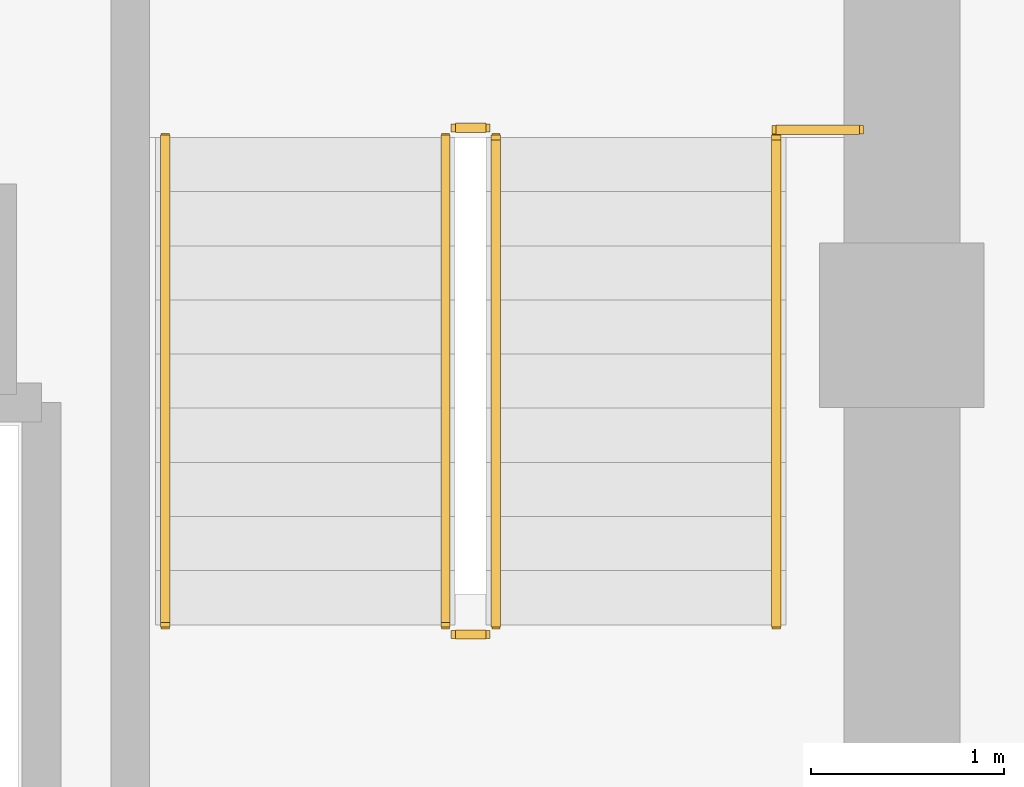
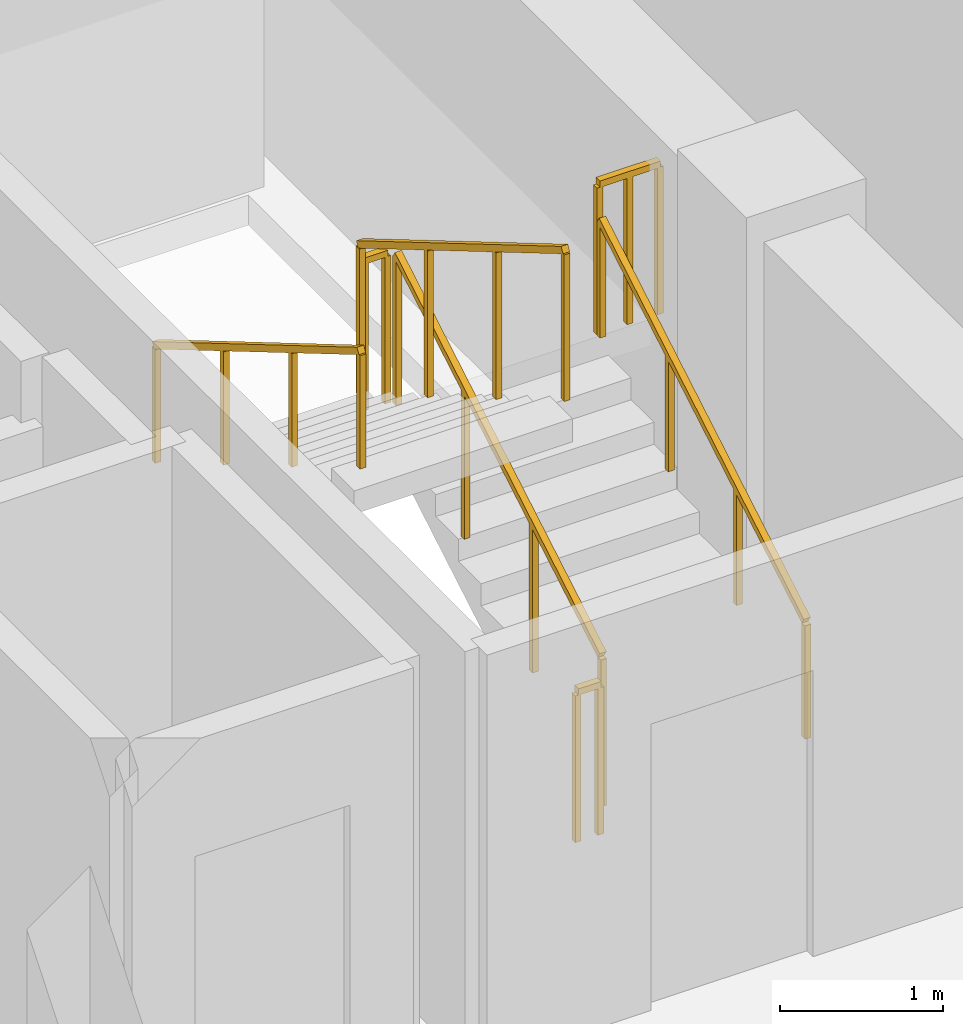
# One storey, part 28 of 29: 7 railings.
"""IFC4 building model written with IfcOpenShell, lengths in metres."""

from ifc_helpers import new_model, si_unit, direction, frame, origin, origin_2d, place, context, subcontext, project, spatial, rectangle, extrude, material, type_object, element, save


model = new_model("IFC4")

# Units and contexts
model_context = context("Model", 3, precision=1e-05, world=origin(), true_north=direction((0.0, 1.0)))
body_context = subcontext(model_context, "Body", "Model", "MODEL_VIEW")
ifc_project = project(units=[si_unit("LENGTHUNIT", "METRE"), si_unit("AREAUNIT", "SQUARE_METRE"), si_unit("VOLUMEUNIT", "CUBIC_METRE"), si_unit("PLANEANGLEUNIT", "RADIAN"), si_unit("MASSUNIT", "GRAM", prefix="KILO")], contexts=[model_context])

# Site, building, storey
site_placement = place(None, origin())
site = spatial("IfcSite", under=ifc_project, at=site_placement, CompositionType="ELEMENT")
building_placement = place(site_placement, origin())
building = spatial("IfcBuilding", under=site, at=building_placement, Name="Zarnakvel Exchange Tower", CompositionType="ELEMENT")
storey_placement = place(building_placement, frame((0.0, 0.0, 265.0)))
storey = spatial("IfcBuildingStorey", under=building, at=storey_placement, Name="L75", CompositionType="ELEMENT", Elevation=265.0)

# Railings
ifc_material_1 = material(Name="Brushed Stainless Steel", Category="steel")
railing_type_1 = type_object("IfcRailingType", Name="HR-01", PredefinedType="HANDRAIL", material=ifc_material_1)
railing_1_placement = place(storey_placement, frame((13.75, 5.050048828125, 0.1650390625)))
element("IfcRailing", 1, at=railing_1_placement, inside=storey, type_object=railing_type_1, Name="L75 ST-02 stair handrail 1", PredefinedType="HANDRAIL", context=body_context, shape_type="SweptSolid", body=[
    extrude(rectangle(XDim=0.048095703125, YDim=0.048095703125, at=origin_2d()), frame((0.0, 0.0, 0.8759765625), z_axis=(0.0, 0.861560626758, 0.507654692109), x_axis=(-1.0, 0.0, 0.0)), (0.0, 0.0, 1.0), 2.925048828125),
    extrude(rectangle(XDim=0.0419921875, YDim=0.0419921875, at=origin_2d()), origin(), (0.0, 0.0, 1.0), 0.851806640625),
    extrude(rectangle(XDim=0.0419921875, YDim=0.0419921875, at=origin_2d()), frame((0.0, 0.840087890625, 0.494873046875)), (0.0, 0.0, 1.0), 0.851806640625),
    extrude(rectangle(XDim=0.0419921875, YDim=0.0419921875, at=origin_2d()), frame((0.0, 1.679931640625, 0.989990234375)), (0.0, 0.0, 1.0), 0.851806640625),
    extrude(rectangle(XDim=0.0419921875, YDim=0.0419921875, at=origin_2d()), frame((0.0, 2.52001953125, 1.48486328125)), (0.0, 0.0, 1.0), 0.851806640625),
])
railing_2_placement = place(storey_placement, frame((10.590087890625, 7.570068359375, 1.81494140625)))
element("IfcRailing", 2, at=railing_2_placement, inside=storey, type_object=railing_type_1, Name="L75 ST-02 stair handrail 2", PredefinedType="HANDRAIL", context=body_context, shape_type="SweptSolid", body=[
    extrude(rectangle(XDim=0.048095703125, YDim=0.048095703125, at=origin_2d()), frame((0.0, 0.0, 0.8759765625), z_axis=(0.0, -0.86152411907, 0.507716645641), x_axis=(1.0, 0.0, 0.0)), (0.0, 0.0, 1.0), 2.925048828125),
    extrude(rectangle(XDim=0.0419921875, YDim=0.0419921875, at=origin_2d()), origin(), (0.0, 0.0, 1.0), 0.851806640625),
    extrude(rectangle(XDim=0.0419921875, YDim=0.0419921875, at=origin_2d()), frame((0.0, -0.840087890625, 0.4951171875)), (0.0, 0.0, 1.0), 0.851806640625),
    extrude(rectangle(XDim=0.0419921875, YDim=0.0419921875, at=origin_2d()), frame((0.0, -1.679931640625, 0.989990234375)), (0.0, 0.0, 1.0), 0.851806640625),
    extrude(rectangle(XDim=0.0419921875, YDim=0.0419921875, at=origin_2d()), frame((0.0, -2.52001953125, 1.485107421875)), (0.0, 0.0, 1.0), 0.851806640625),
])
ifc_material_2 = material(Name="Architectural Bronze Anodised Aluminium", Category="aluminium")
railing_type_2 = type_object("IfcRailingType", Name="SG-01", PredefinedType="GUARDRAIL", material=ifc_material_2)
railing_3_placement = place(storey_placement, frame((12.300048828125, 5.050048828125, 0.1650390625)))
element("IfcRailing", 3, at=railing_3_placement, inside=storey, type_object=railing_type_2, Name="L75 ST-02 stair guard 1", PredefinedType="GUARDRAIL", context=body_context, shape_type="SweptSolid", body=[
    extrude(rectangle(XDim=0.048095703125, YDim=0.048095703125, at=origin_2d()), frame((0.0, 0.0, 1.1259765625), z_axis=(0.0, 0.861560626758, 0.507654692109), x_axis=(-1.0, 0.0, 0.0)), (0.0, 0.0, 1.0), 2.925048828125),
    extrude(rectangle(XDim=0.0419921875, YDim=0.0419921875, at=origin_2d()), origin(), (0.0, 0.0, 1.0), 1.101806640625),
    extrude(rectangle(XDim=0.0419921875, YDim=0.0419921875, at=origin_2d()), frame((0.0, 0.840087890625, 0.494873046875)), (0.0, 0.0, 1.0), 1.101806640625),
    extrude(rectangle(XDim=0.0419921875, YDim=0.0419921875, at=origin_2d()), frame((0.0, 1.679931640625, 0.989990234375)), (0.0, 0.0, 1.0), 1.101806640625),
    extrude(rectangle(XDim=0.0419921875, YDim=0.0419921875, at=origin_2d()), frame((0.0, 2.52001953125, 1.48486328125)), (0.0, 0.0, 1.0), 1.101806640625),
])
railing_4_placement = place(storey_placement, frame((12.25, 7.6201171875, 1.64990234375)))
element("IfcRailing", 4, at=railing_4_placement, inside=storey, type_object=railing_type_2, Name="L75 ST-02 stair guard 2", PredefinedType="GUARDRAIL", context=body_context, shape_type="SweptSolid", body=[
    extrude(rectangle(XDim=0.048095703125, YDim=0.048095703125, at=origin_2d()), frame((0.0, 0.0, 1.1259765625), z_axis=(-1.0, 0.0, 0.0), x_axis=(0.0, -1.0, 0.0)), (0.0, 0.0, 1.0), 0.159912109375),
    extrude(rectangle(XDim=0.0419921875, YDim=0.0419921875, at=origin_2d()), origin(), (0.0, 0.0, 1.0), 1.101806640625),
    extrude(rectangle(XDim=0.0419921875, YDim=0.0419921875, at=origin_2d()), frame((-0.159912109375, 0.0, 0.0)), (0.0, 0.0, 1.0), 1.101806640625),
])
railing_5_placement = place(storey_placement, frame((12.0400390625, 7.570068359375, 1.81494140625)))
element("IfcRailing", 5, at=railing_5_placement, inside=storey, type_object=railing_type_2, Name="L75 ST-02 stair guard 3", PredefinedType="GUARDRAIL", context=body_context, shape_type="SweptSolid", body=[
    extrude(rectangle(XDim=0.048095703125, YDim=0.048095703125, at=origin_2d()), frame((0.0, 0.0, 1.1259765625), z_axis=(0.0, -0.86152411907, 0.507716645641), x_axis=(1.0, 0.0, 0.0)), (0.0, 0.0, 1.0), 2.925048828125),
    extrude(rectangle(XDim=0.0419921875, YDim=0.0419921875, at=origin_2d()), origin(), (0.0, 0.0, 1.0), 1.101806640625),
    extrude(rectangle(XDim=0.0419921875, YDim=0.0419921875, at=origin_2d()), frame((0.0, -0.840087890625, 0.4951171875)), (0.0, 0.0, 1.0), 1.101806640625),
    extrude(rectangle(XDim=0.0419921875, YDim=0.0419921875, at=origin_2d()), frame((0.0, -1.679931640625, 0.989990234375)), (0.0, 0.0, 1.0), 1.101806640625),
    extrude(rectangle(XDim=0.0419921875, YDim=0.0419921875, at=origin_2d()), frame((0.0, -2.52001953125, 1.485107421875)), (0.0, 0.0, 1.0), 1.101806640625),
])
railing_6_placement = place(storey_placement, frame((12.25, 5.0, 0.0)))
element("IfcRailing", 6, at=railing_6_placement, inside=storey, type_object=railing_type_2, Name="L75 ST-02 stair guard 4", PredefinedType="GUARDRAIL", context=body_context, shape_type="SweptSolid", body=[
    extrude(rectangle(XDim=0.048095703125, YDim=0.048095703125, at=origin_2d()), frame((0.0, 0.0, 1.1259765625), z_axis=(-1.0, 0.0, 0.0), x_axis=(0.0, -1.0, 0.0)), (0.0, 0.0, 1.0), 0.159912109375),
    extrude(rectangle(XDim=0.0419921875, YDim=0.0419921875, at=origin_2d()), origin(), (0.0, 0.0, 1.0), 1.101806640625),
    extrude(rectangle(XDim=0.0419921875, YDim=0.0419921875, at=origin_2d()), frame((-0.159912109375, 0.0, 0.0)), (0.0, 0.0, 1.0), 1.101806640625),
])
railing_7_placement = place(storey_placement, frame((13.75, 7.610107421875, 1.64990234375)))
element("IfcRailing", 7, at=railing_7_placement, inside=storey, type_object=railing_type_2, Name="L75 ST-02 Landing Slot Guardrail", PredefinedType="GUARDRAIL", context=body_context, shape_type="SweptSolid", body=[
    extrude(rectangle(XDim=0.048095703125, YDim=0.048095703125, at=origin_2d()), frame((0.0, 0.0, 1.1259765625), z_axis=(1.0, 0.0, 0.0), x_axis=(0.0, 1.0, 0.0)), (0.0, 0.0, 1.0), 0.429931640625),
    extrude(rectangle(XDim=0.0419921875, YDim=0.0419921875, at=origin_2d()), origin(), (0.0, 0.0, 1.0), 1.101806640625),
    extrude(rectangle(XDim=0.0419921875, YDim=0.0419921875, at=origin_2d()), frame((0.21484375, 0.0, 0.0)), (0.0, 0.0, 1.0), 1.101806640625),
    extrude(rectangle(XDim=0.0419921875, YDim=0.0419921875, at=origin_2d()), frame((0.429931640625, 0.0, 0.0)), (0.0, 0.0, 1.0), 1.101806640625),
])

save(model, "model.ifc")
